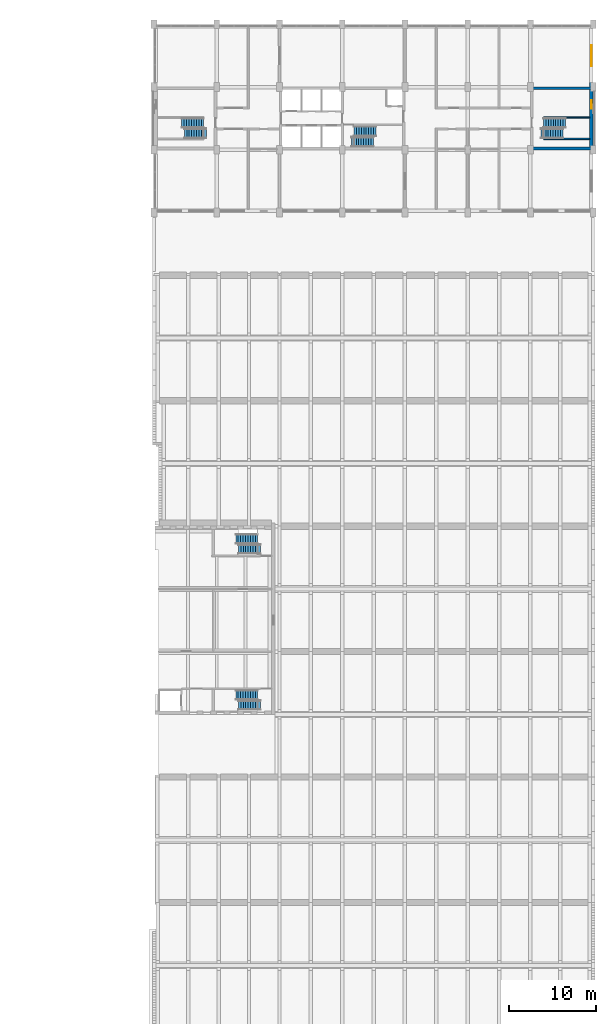
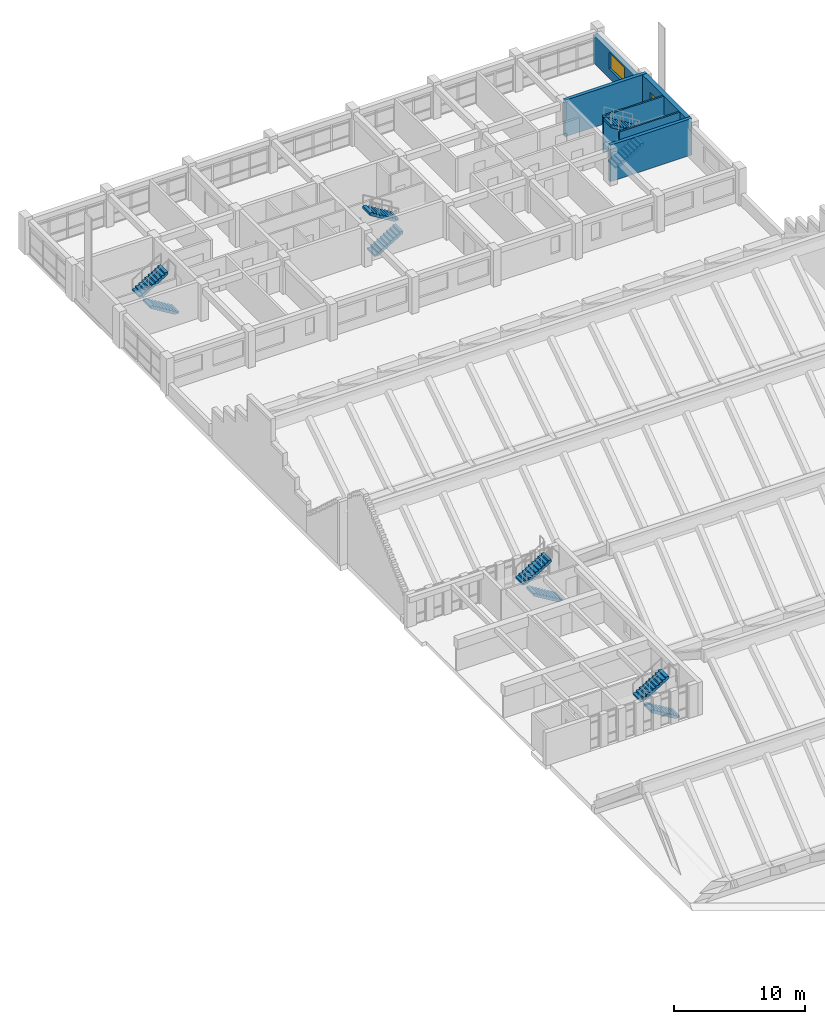
# One storey, part 28 of 31: 10 stair flights, 6 walls, 2 windows, 2 openings, 5 elements without a shape of their own.
"""IFC4 building model written with IfcOpenShell, lengths in metres."""

from ifc_helpers import new_model, si_unit, direction, frame, frame_2d, origin, place, context, subcontext, project, spatial, polyline, rectangle, outline, extrude, material, layer, layer_set, type_object, element, fill, aggregate, save


model = new_model("IFC4")

# Units and contexts
model_context = context("Model", 3, precision=1e-05, world=origin(), true_north=direction((0.0, 1.0)))
body_context = subcontext(model_context, "Body", "Model", "MODEL_VIEW")
ifc_project = project(units=[si_unit("LENGTHUNIT", "METRE"), si_unit("AREAUNIT", "SQUARE_METRE"), si_unit("VOLUMEUNIT", "CUBIC_METRE"), si_unit("PLANEANGLEUNIT", "RADIAN"), si_unit("MASSUNIT", "GRAM", prefix="KILO")], contexts=[model_context])

# Site, building, storey
site_placement = place(None, origin())
site = spatial("IfcSite", under=ifc_project, at=site_placement, CompositionType="ELEMENT")
building_placement = place(site_placement, origin())
building = spatial("IfcBuilding", under=site, at=building_placement, Name="Vermilion Court Aquatics Centre", CompositionType="ELEMENT")
storey_placement = place(building_placement, frame((0.0, 0.0, 16.5)))
storey = spatial("IfcBuildingStorey", under=building, at=storey_placement, Name="L03", CompositionType="ELEMENT", Elevation=16.5)

# Wall, opening, window
ifc_material_1 = material(Name="Brick masonry", Category="masonry")
ifc_layer_1 = layer(ifc_material_1, 0.39990234375)
ifc_layer_set_1 = layer_set([ifc_layer_1], Name="North block brick facade wall 400")
wall_type_1 = type_object("IfcWallType", Name="North block brick facade wall 400", PredefinedType="SOLIDWALL", material=ifc_layer_set_1)
wall_1_placement = place(storey_placement, frame((194.199951171875, 108.0, 0.0), z_axis=(0.0, 0.0, 1.0), x_axis=(0.0, 1.0, 0.0)))
wall_1 = element("IfcWall", 1, at=wall_1_placement, inside=storey, type_object=wall_type_1, Name="Brick facade wall E2 L03", PredefinedType="SOLIDWALL", context=body_context, shape_type="SweptSolid", body=[
    extrude(rectangle(XDim=7.199951171875, YDim=0.39990234375, at=frame_2d((3.60009765625, 0.0))), origin(), (0.0, 0.0, 1.0), 2.60009765625),
])
opening_1_placement = place(wall_1_placement, frame((2.39990234375, 0.0, 0.89990234375)))
opening_1 = element("IfcOpeningElement", 2, at=opening_1_placement, cuts=wall_1, Name="Opening UWN3", PredefinedType="OPENING", context=body_context, shape_type="SweptSolid", body=[
    extrude(rectangle(XDim=2.39990234375, YDim=1.5, at=frame_2d((1.199951171875, 0.75))), frame((0.0, 0.2099609375, 0.0), z_axis=(0.0, -1.0, 0.0), x_axis=(1.0, 0.0, 0.0)), (0.0, 0.0, 1.0), 0.419921875),
])
ifc_material_2 = material(Name="Aluminium 6063-T5", Category="aluminium")
window_type_1 = type_object("IfcWindowType", Name="North block corner window 2400x1500", PartitioningType="DOUBLE_PANEL_VERTICAL", PredefinedType="WINDOW", material=ifc_material_2)
window_1_placement = place(opening_1_placement, origin())
window_1 = element("IfcWindow", 3, at=window_1_placement, inside=storey, type_object=window_type_1, Name="End window NE", OverallHeight=1.5, OverallWidth=2.39990234375, PartitioningType="DOUBLE_PANEL_VERTICAL", PredefinedType="WINDOW", context=body_context, shape_type="SweptSolid", body=[
    extrude(rectangle(XDim=2.39990234375, YDim=1.5, at=frame_2d((1.199951171875, 0.75))), frame((0.0, 0.030029296875, 0.0), z_axis=(0.0, -1.0, 0.0), x_axis=(1.0, 0.0, 0.0)), (0.0, 0.0, 1.0), 0.06005859375),
])
fill(opening_1, window_1)

ifc_material_3 = material(Name="Concrete 8000 psi", Category="concrete")
ifc_layer_2 = layer(ifc_material_3, 0.39990234375)
ifc_layer_set_2 = layer_set([ifc_layer_2], Name="North block core brick-faced shear wall 400")
wall_type_2 = type_object("IfcWallType", Name="North block core brick-faced shear wall 400", PredefinedType="SHEAR", material=ifc_layer_set_2)
wall_2_placement = place(storey_placement, frame((194.199951171875, 101.10009765625, 0.0), z_axis=(0.0, 0.0, 1.0), x_axis=(0.0, 1.0, 0.0)))
wall_2 = element("IfcWall", 4, at=wall_2_placement, inside=storey, type_object=wall_type_2, Name="Stair 2 shear wall outer L03", PredefinedType="SHEAR", context=body_context, shape_type="SweptSolid", body=[
    extrude(rectangle(XDim=6.599853515625, YDim=0.39990234375, at=frame_2d((3.2998046875, 0.0))), origin(), (0.0, 0.0, 1.0), 3.39990234375),
])
opening_2_placement = place(wall_2_placement, frame((4.39990234375, 0.0, 1.0)))
opening_2 = element("IfcOpeningElement", 5, at=opening_2_placement, cuts=wall_2, Name="Opening UWN5", PredefinedType="OPENING", context=body_context, shape_type="SweptSolid", body=[
    extrude(rectangle(XDim=1.0, YDim=1.5, at=frame_2d((0.5, 0.75))), frame((0.0, 0.2099609375, 0.0), z_axis=(0.0, -1.0, 0.0), x_axis=(1.0, 0.0, 0.0)), (0.0, 0.0, 1.0), 0.419921875),
])
ifc_material_4 = material(Name="Aluminium 6063-T5", Category="aluminium")
window_type_2 = type_object("IfcWindowType", Name="North block stair window 1000x1500", PartitioningType="SINGLE_PANEL", PredefinedType="WINDOW", material=ifc_material_4)
window_2_placement = place(opening_2_placement, origin())
window_2 = element("IfcWindow", 6, at=window_2_placement, inside=storey, type_object=window_type_2, Name="Stair 2 window", OverallHeight=1.5, OverallWidth=1.0, PartitioningType="SINGLE_PANEL", PredefinedType="WINDOW", context=body_context, shape_type="SweptSolid", body=[
    extrude(rectangle(XDim=1.0, YDim=1.5, at=frame_2d((0.5, 0.75))), frame((0.0, 0.030029296875, 0.0), z_axis=(0.0, -1.0, 0.0), x_axis=(1.0, 0.0, 0.0)), (0.0, 0.0, 1.0), 0.06005859375),
])
fill(opening_2, window_2)

# Walls
ifc_material_5 = material(Name="Concrete 8000 psi", Category="concrete")
ifc_layer_3 = layer(ifc_material_5, 0.300048828125)
ifc_layer_set_3 = layer_set([ifc_layer_3], Name="North block core shear wall 300")
wall_type_3 = type_object("IfcWallType", Name="North block core shear wall 300", PredefinedType="SHEAR", material=ifc_layer_set_3)
for number, where, z_axis, x_axis, name in (
    (7, (194.39990234375, 100.949951171875, 0.0), (0.0, 0.0, 1.0), (-1.0, 0.0, 0.0), "Stair 2 shear wall south L03"),
    (8, (194.39990234375, 107.85009765625, 0.0), (0.0, 0.0, 1.0), (-1.0, 0.0, 0.0), "Stair 2 shear wall north L03"),
):
    element("IfcWall", number, at=place(storey_placement, frame(where, z_axis=z_axis, x_axis=x_axis)), inside=storey, type_object=wall_type_3, Name=name, PredefinedType="SHEAR", context=body_context, shape_type="SweptSolid", body=[
        extrude(rectangle(XDim=7.199951171875, YDim=0.300048828125, at=frame_2d((3.60009765625, 0.0))), origin(), (0.0, 0.0, 1.0), 3.39990234375),
    ])
ifc_material_6 = material(Name="Concrete 5000 psi", Category="concrete")
ifc_layer_4 = layer(ifc_material_6, 0.14990234375)
ifc_layer_set_4 = layer_set([ifc_layer_4], Name="North block stair lane wall 150")
wall_type_4 = type_object("IfcWallType", Name="North block stair lane wall 150", PredefinedType="SHEAR", material=ifc_layer_set_4)
for number, where, z_axis, x_axis, name in (
    (9, (188.699951171875, 102.054931640625, 0.0), (0.0, 0.0, 1.0), (1.0, 0.0, 0.0), "Stair 2 lane wall south L03"),
    (10, (188.699951171875, 104.5048828125, 0.0), (0.0, 0.0, 1.0), (1.0, 0.0, 0.0), "Stair 2 lane wall north L03"),
):
    element("IfcWall", number, at=place(storey_placement, frame(where, z_axis=z_axis, x_axis=x_axis)), inside=storey, type_object=wall_type_4, Name=name, PredefinedType="SHEAR", context=body_context, shape_type="SweptSolid", body=[
        extrude(rectangle(XDim=5.300048828125, YDim=0.14990234375, at=frame_2d((2.64990234375, 0.0))), origin(), (0.0, 0.0, 1.0), 3.39990234375),
    ])

# Stair, stair flights
ifc_material_7 = material(Name="Concrete 5000 psi", Category="concrete")
stair_type_1 = type_object("IfcStairType", Name="Diving Tower stair 1130", PredefinedType="HALF_TURN_STAIR", material=ifc_material_7)
stair_1_placement = place(storey_placement, origin())
stair_1 = element("IfcStair", 11, at=stair_1_placement, inside=storey, type_object=stair_type_1, Name="Exit stair ST-D1 L03", PredefinedType="HALF_TURN_STAIR")
ifc_material_8 = material(Name="Concrete 5000 psi", Category="concrete")
stair_flight_type_1 = type_object("IfcStairFlightType", Name="Diving Tower stair flight 1130", PredefinedType="STRAIGHT", material=ifc_material_8)
stair_flight_1_placement = place(storey_placement, frame((156.199951171875, 37.06494140625, 0.0), z_axis=(0.0, 0.0, 1.0), x_axis=(-1.0, 0.0, 0.0)))
stair_flight_1 = element("IfcStairFlight", 12, at=stair_flight_1_placement, type_object=stair_flight_type_1, Name="ST-D1 flight 1", NumberOfRisers=10, NumberOfTreads=9, PredefinedType="STRAIGHT", RiserHeight=0.17, TreadLength=0.28, context=body_context, shape_type="SweptSolid", body=[
    extrude(outline(polyline([(0.0, 0.0), (0.0, 0.169921875), (0.280029296875, 0.169921875), (0.280029296875, 0.340087890625), (0.56005859375, 0.340087890625), (0.56005859375, 0.510009765625), (0.840087890625, 0.510009765625), (0.840087890625, 0.679931640625), (1.1201171875, 0.679931640625), (1.1201171875, 0.85009765625), (1.39990234375, 0.85009765625), (1.39990234375, 1.02001953125), (1.679931640625, 1.02001953125), (1.679931640625, 1.18994140625), (1.9599609375, 1.18994140625), (1.9599609375, 1.360107421875), (2.239990234375, 1.360107421875), (2.239990234375, 1.530029296875), (2.52001953125, 1.530029296875), (2.52001953125, 1.699951171875), (2.52001953125, 1.296142578125), (0.38525390625, 0.0), (0.0, 0.0)])), frame((0.0, 0.56494140625, 0.0), z_axis=(0.0, -1.0, 0.0), x_axis=(1.0, 0.0, 0.0)), (0.0, 0.0, 1.0), 1.1298828125),
])
stair_flight_2_placement = place(storey_placement, frame((153.3798828125, 38.235107421875, 1.699951171875), z_axis=(0.0, 0.0, 1.0), x_axis=(1.0, 0.0, 0.0)))
stair_flight_2 = element("IfcStairFlight", 13, at=stair_flight_2_placement, type_object=stair_flight_type_1, Name="ST-D1 flight 2", NumberOfRisers=10, NumberOfTreads=9, PredefinedType="STRAIGHT", RiserHeight=0.17, TreadLength=0.28, context=body_context, shape_type="SweptSolid", body=[
    extrude(outline(polyline([(0.0, 0.0), (0.0, 0.169921875), (0.280029296875, 0.169921875), (0.280029296875, 0.340087890625), (0.56005859375, 0.340087890625), (0.56005859375, 0.510009765625), (0.840087890625, 0.510009765625), (0.840087890625, 0.679931640625), (1.1201171875, 0.679931640625), (1.1201171875, 0.85009765625), (1.39990234375, 0.85009765625), (1.39990234375, 1.02001953125), (1.679931640625, 1.02001953125), (1.679931640625, 1.18994140625), (1.9599609375, 1.18994140625), (1.9599609375, 1.360107421875), (2.239990234375, 1.360107421875), (2.239990234375, 1.530029296875), (2.52001953125, 1.530029296875), (2.52001953125, 1.699951171875), (2.52001953125, 1.296142578125), (0.38525390625, 0.0), (0.0, 0.0)])), frame((0.0, 0.56494140625, 0.0), z_axis=(0.0, -1.0, 0.0), x_axis=(1.0, 0.0, 0.0)), (0.0, 0.0, 1.0), 1.1298828125),
])
aggregate(stair_1, [stair_flight_1, stair_flight_2])

stair_2_placement = place(storey_placement, origin())
stair_2 = element("IfcStair", 14, at=stair_2_placement, inside=storey, type_object=stair_type_1, Name="Exit stair ST-D2 L03", PredefinedType="HALF_TURN_STAIR")
stair_flight_3_placement = place(storey_placement, frame((156.199951171875, 54.965087890625, 0.0), z_axis=(0.0, 0.0, 1.0), x_axis=(-1.0, 0.0, 0.0)))
stair_flight_3 = element("IfcStairFlight", 15, at=stair_flight_3_placement, type_object=stair_flight_type_1, Name="ST-D2 flight 1", NumberOfRisers=10, NumberOfTreads=9, PredefinedType="STRAIGHT", RiserHeight=0.17, TreadLength=0.28, context=body_context, shape_type="SweptSolid", body=[
    extrude(outline(polyline([(0.0, 0.0), (0.0, 0.169921875), (0.280029296875, 0.169921875), (0.280029296875, 0.340087890625), (0.56005859375, 0.340087890625), (0.56005859375, 0.510009765625), (0.840087890625, 0.510009765625), (0.840087890625, 0.679931640625), (1.1201171875, 0.679931640625), (1.1201171875, 0.85009765625), (1.39990234375, 0.85009765625), (1.39990234375, 1.02001953125), (1.679931640625, 1.02001953125), (1.679931640625, 1.18994140625), (1.9599609375, 1.18994140625), (1.9599609375, 1.360107421875), (2.239990234375, 1.360107421875), (2.239990234375, 1.530029296875), (2.52001953125, 1.530029296875), (2.52001953125, 1.699951171875), (2.52001953125, 1.296142578125), (0.38525390625, 0.0), (0.0, 0.0)])), frame((0.0, 0.56494140625, 0.0), z_axis=(0.0, -1.0, 0.0), x_axis=(1.0, 0.0, 0.0)), (0.0, 0.0, 1.0), 1.1298828125),
])
stair_flight_4_placement = place(storey_placement, frame((153.3798828125, 56.135009765625, 1.699951171875), z_axis=(0.0, 0.0, 1.0), x_axis=(1.0, 0.0, 0.0)))
stair_flight_4 = element("IfcStairFlight", 16, at=stair_flight_4_placement, type_object=stair_flight_type_1, Name="ST-D2 flight 2", NumberOfRisers=10, NumberOfTreads=9, PredefinedType="STRAIGHT", RiserHeight=0.17, TreadLength=0.28, context=body_context, shape_type="SweptSolid", body=[
    extrude(outline(polyline([(0.0, 0.0), (0.0, 0.169921875), (0.280029296875, 0.169921875), (0.280029296875, 0.340087890625), (0.56005859375, 0.340087890625), (0.56005859375, 0.510009765625), (0.840087890625, 0.510009765625), (0.840087890625, 0.679931640625), (1.1201171875, 0.679931640625), (1.1201171875, 0.85009765625), (1.39990234375, 0.85009765625), (1.39990234375, 1.02001953125), (1.679931640625, 1.02001953125), (1.679931640625, 1.18994140625), (1.9599609375, 1.18994140625), (1.9599609375, 1.360107421875), (2.239990234375, 1.360107421875), (2.239990234375, 1.530029296875), (2.52001953125, 1.530029296875), (2.52001953125, 1.699951171875), (2.52001953125, 1.296142578125), (0.38525390625, 0.0), (0.0, 0.0)])), frame((0.0, 0.56494140625, 0.0), z_axis=(0.0, -1.0, 0.0), x_axis=(1.0, 0.0, 0.0)), (0.0, 0.0, 1.0), 1.1298828125),
])
aggregate(stair_2, [stair_flight_3, stair_flight_4])

ifc_material_9 = material(Name="Concrete 5000 psi", Category="concrete")
stair_type_2 = type_object("IfcStairType", Name="North block exit stair 1130", PredefinedType="HALF_TURN_STAIR", material=ifc_material_9)
stair_3_placement = place(storey_placement, origin())
stair_3 = element("IfcStair", 17, at=stair_3_placement, inside=storey, type_object=stair_type_2, Name="Exit stair ST-T1 L03", PredefinedType="HALF_TURN_STAIR")
ifc_material_10 = material(Name="Concrete 5000 psi", Category="concrete")
stair_flight_type_2 = type_object("IfcStairFlightType", Name="North block stair flight 1130", PredefinedType="STRAIGHT", material=ifc_material_10)
stair_flight_5_placement = place(storey_placement, frame((150.0, 102.695068359375, 0.0), z_axis=(0.0, 0.0, 1.0), x_axis=(-1.0, 0.0, 0.0)))
stair_flight_5 = element("IfcStairFlight", 18, at=stair_flight_5_placement, type_object=stair_flight_type_2, Name="ST-T1 flight 1", NumberOfRisers=10, NumberOfTreads=9, PredefinedType="STRAIGHT", RiserHeight=0.17, TreadLength=0.28, context=body_context, shape_type="SweptSolid", body=[
    extrude(outline(polyline([(0.0, 0.0), (0.0, 0.169921875), (0.280029296875, 0.169921875), (0.280029296875, 0.340087890625), (0.56005859375, 0.340087890625), (0.56005859375, 0.510009765625), (0.840087890625, 0.510009765625), (0.840087890625, 0.679931640625), (1.1201171875, 0.679931640625), (1.1201171875, 0.85009765625), (1.39990234375, 0.85009765625), (1.39990234375, 1.02001953125), (1.679931640625, 1.02001953125), (1.679931640625, 1.18994140625), (1.9599609375, 1.18994140625), (1.9599609375, 1.360107421875), (2.239990234375, 1.360107421875), (2.239990234375, 1.530029296875), (2.52001953125, 1.530029296875), (2.52001953125, 1.699951171875), (2.52001953125, 1.296142578125), (0.38525390625, 0.0), (0.0, 0.0)])), frame((0.0, 0.56494140625, 0.0), z_axis=(0.0, -1.0, 0.0), x_axis=(1.0, 0.0, 0.0)), (0.0, 0.0, 1.0), 1.1298828125),
])
stair_flight_6_placement = place(storey_placement, frame((147.179931640625, 103.864990234375, 1.699951171875), z_axis=(0.0, 0.0, 1.0), x_axis=(1.0, 0.0, 0.0)))
stair_flight_6 = element("IfcStairFlight", 19, at=stair_flight_6_placement, type_object=stair_flight_type_2, Name="ST-T1 flight 2", NumberOfRisers=10, NumberOfTreads=9, PredefinedType="STRAIGHT", RiserHeight=0.17, TreadLength=0.28, context=body_context, shape_type="SweptSolid", body=[
    extrude(outline(polyline([(0.0, 0.0), (0.0, 0.169921875), (0.280029296875, 0.169921875), (0.280029296875, 0.340087890625), (0.56005859375, 0.340087890625), (0.56005859375, 0.510009765625), (0.840087890625, 0.510009765625), (0.840087890625, 0.679931640625), (1.1201171875, 0.679931640625), (1.1201171875, 0.85009765625), (1.39990234375, 0.85009765625), (1.39990234375, 1.02001953125), (1.679931640625, 1.02001953125), (1.679931640625, 1.18994140625), (1.9599609375, 1.18994140625), (1.9599609375, 1.360107421875), (2.239990234375, 1.360107421875), (2.239990234375, 1.530029296875), (2.52001953125, 1.530029296875), (2.52001953125, 1.699951171875), (2.52001953125, 1.296142578125), (0.38525390625, 0.0), (0.0, 0.0)])), frame((0.0, 0.56494140625, 0.0), z_axis=(0.0, -1.0, 0.0), x_axis=(1.0, 0.0, 0.0)), (0.0, 0.0, 1.0), 1.1298828125),
])
aggregate(stair_3, [stair_flight_5, stair_flight_6])

stair_4_placement = place(storey_placement, origin())
stair_4 = element("IfcStair", 20, at=stair_4_placement, inside=storey, type_object=stair_type_2, Name="Exit stair ST-T2 L03", PredefinedType="HALF_TURN_STAIR")
stair_flight_7_placement = place(storey_placement, frame((188.39990234375, 102.695068359375, 0.0), z_axis=(0.0, 0.0, 1.0), x_axis=(1.0, 0.0, 0.0)))
stair_flight_7 = element("IfcStairFlight", 21, at=stair_flight_7_placement, type_object=stair_flight_type_2, Name="ST-T2 flight 1", NumberOfRisers=10, NumberOfTreads=9, PredefinedType="STRAIGHT", RiserHeight=0.17, TreadLength=0.28, context=body_context, shape_type="SweptSolid", body=[
    extrude(outline(polyline([(0.0, 0.0), (0.0, 0.169921875), (0.280029296875, 0.169921875), (0.280029296875, 0.340087890625), (0.56005859375, 0.340087890625), (0.56005859375, 0.510009765625), (0.840087890625, 0.510009765625), (0.840087890625, 0.679931640625), (1.1201171875, 0.679931640625), (1.1201171875, 0.85009765625), (1.39990234375, 0.85009765625), (1.39990234375, 1.02001953125), (1.679931640625, 1.02001953125), (1.679931640625, 1.18994140625), (1.9599609375, 1.18994140625), (1.9599609375, 1.360107421875), (2.239990234375, 1.360107421875), (2.239990234375, 1.530029296875), (2.52001953125, 1.530029296875), (2.52001953125, 1.699951171875), (2.52001953125, 1.296142578125), (0.38525390625, 0.0), (0.0, 0.0)])), frame((0.0, 0.56494140625, 0.0), z_axis=(0.0, -1.0, 0.0), x_axis=(1.0, 0.0, 0.0)), (0.0, 0.0, 1.0), 1.1298828125),
])
stair_flight_8_placement = place(storey_placement, frame((191.219970703125, 103.864990234375, 1.699951171875), z_axis=(0.0, 0.0, 1.0), x_axis=(-1.0, 0.0, 0.0)))
stair_flight_8 = element("IfcStairFlight", 22, at=stair_flight_8_placement, type_object=stair_flight_type_2, Name="ST-T2 flight 2", NumberOfRisers=10, NumberOfTreads=9, PredefinedType="STRAIGHT", RiserHeight=0.17, TreadLength=0.28, context=body_context, shape_type="SweptSolid", body=[
    extrude(outline(polyline([(0.0, 0.0), (0.0, 0.169921875), (0.280029296875, 0.169921875), (0.280029296875, 0.340087890625), (0.56005859375, 0.340087890625), (0.56005859375, 0.510009765625), (0.840087890625, 0.510009765625), (0.840087890625, 0.679931640625), (1.1201171875, 0.679931640625), (1.1201171875, 0.85009765625), (1.39990234375, 0.85009765625), (1.39990234375, 1.02001953125), (1.679931640625, 1.02001953125), (1.679931640625, 1.18994140625), (1.9599609375, 1.18994140625), (1.9599609375, 1.360107421875), (2.239990234375, 1.360107421875), (2.239990234375, 1.530029296875), (2.52001953125, 1.530029296875), (2.52001953125, 1.699951171875), (2.52001953125, 1.296142578125), (0.38525390625, 0.0), (0.0, 0.0)])), frame((0.0, 0.56494140625, 0.0), z_axis=(0.0, -1.0, 0.0), x_axis=(1.0, 0.0, 0.0)), (0.0, 0.0, 1.0), 1.1298828125),
])
aggregate(stair_4, [stair_flight_7, stair_flight_8])

stair_5_placement = place(storey_placement, origin())
stair_5 = element("IfcStair", 23, at=stair_5_placement, inside=storey, type_object=stair_type_2, Name="Exit stair ST-T3 L03", PredefinedType="HALF_TURN_STAIR")
stair_flight_9_placement = place(storey_placement, frame((166.64990234375, 101.72509765625, 0.0), z_axis=(0.0, 0.0, 1.0), x_axis=(1.0, 0.0, 0.0)))
stair_flight_9 = element("IfcStairFlight", 24, at=stair_flight_9_placement, type_object=stair_flight_type_2, Name="ST-T3 flight 1", NumberOfRisers=10, NumberOfTreads=9, PredefinedType="STRAIGHT", RiserHeight=0.17, TreadLength=0.28, context=body_context, shape_type="SweptSolid", body=[
    extrude(outline(polyline([(0.0, 0.0), (0.0, 0.169921875), (0.280029296875, 0.169921875), (0.280029296875, 0.340087890625), (0.56005859375, 0.340087890625), (0.56005859375, 0.510009765625), (0.840087890625, 0.510009765625), (0.840087890625, 0.679931640625), (1.1201171875, 0.679931640625), (1.1201171875, 0.85009765625), (1.39990234375, 0.85009765625), (1.39990234375, 1.02001953125), (1.679931640625, 1.02001953125), (1.679931640625, 1.18994140625), (1.9599609375, 1.18994140625), (1.9599609375, 1.360107421875), (2.239990234375, 1.360107421875), (2.239990234375, 1.530029296875), (2.52001953125, 1.530029296875), (2.52001953125, 1.699951171875), (2.52001953125, 1.296142578125), (0.38525390625, 0.0), (0.0, 0.0)])), frame((0.0, 0.56494140625, 0.0), z_axis=(0.0, -1.0, 0.0), x_axis=(1.0, 0.0, 0.0)), (0.0, 0.0, 1.0), 1.1298828125),
])
stair_flight_10_placement = place(storey_placement, frame((169.469970703125, 102.925048828125, 1.699951171875), z_axis=(0.0, 0.0, 1.0), x_axis=(-1.0, 0.0, 0.0)))
stair_flight_10 = element("IfcStairFlight", 25, at=stair_flight_10_placement, type_object=stair_flight_type_2, Name="ST-T3 flight 2", NumberOfRisers=10, NumberOfTreads=9, PredefinedType="STRAIGHT", RiserHeight=0.17, TreadLength=0.28, context=body_context, shape_type="SweptSolid", body=[
    extrude(outline(polyline([(0.0, 0.0), (0.0, 0.169921875), (0.280029296875, 0.169921875), (0.280029296875, 0.340087890625), (0.56005859375, 0.340087890625), (0.56005859375, 0.510009765625), (0.840087890625, 0.510009765625), (0.840087890625, 0.679931640625), (1.1201171875, 0.679931640625), (1.1201171875, 0.85009765625), (1.39990234375, 0.85009765625), (1.39990234375, 1.02001953125), (1.679931640625, 1.02001953125), (1.679931640625, 1.18994140625), (1.9599609375, 1.18994140625), (1.9599609375, 1.360107421875), (2.239990234375, 1.360107421875), (2.239990234375, 1.530029296875), (2.52001953125, 1.530029296875), (2.52001953125, 1.699951171875), (2.52001953125, 1.296142578125), (0.38525390625, 0.0), (0.0, 0.0)])), frame((0.0, 0.56494140625, 0.0), z_axis=(0.0, -1.0, 0.0), x_axis=(1.0, 0.0, 0.0)), (0.0, 0.0, 1.0), 1.1298828125),
])
aggregate(stair_5, [stair_flight_9, stair_flight_10])

save(model, "model.ifc")
